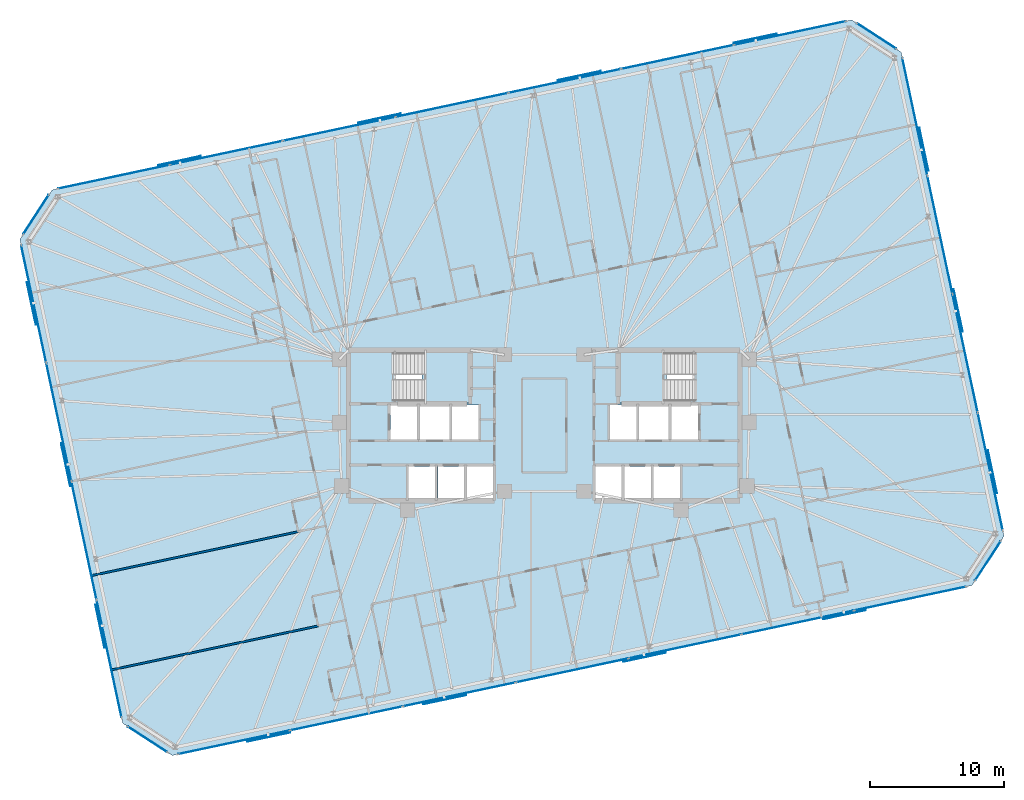
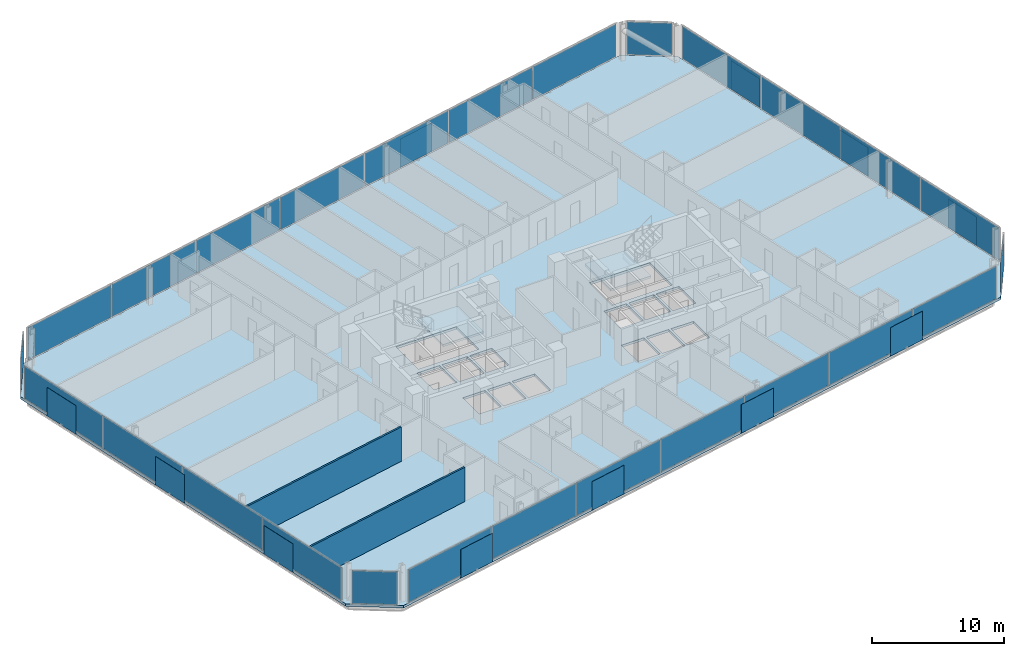
# One storey, part 13 of 21: 40 plates, 3 slabs, 2 walls, 10 elements without a shape of their own.
"""IFC4 building model written with IfcOpenShell, lengths in metres."""

import ifcopenshell
import ifcopenshell.guid

model = None  # the IFC model being written
_history = None  # IfcOwnerHistory: only IFC2X3 demands one
_inside = {}  # id of a spatial element -> (the spatial element, [elements in it])
_under = {}  # id of a project, library or spatial element -> (it, [spatial elements below it])
_declared = {}  # id of a project -> (the project, [libraries it declares])
_typed = {}  # id of a type object -> (the type object, [elements of that type])
_made_of = {}  # id of a material, layer set ... -> (it, [elements and type objects made of it])


def new_model(schema):
    """Start an empty IFC model of exactly this schema.

    Asked for "IFC4X3", IfcOpenShell would pick the latest addendum, in which some entities
    have other attributes; the version numbers below select the first issue.
    IFC2X3 requires an IfcOwnerHistory on every rooted entity: one is made here for all.
    """
    global model, _history
    if schema == "IFC4X3":
        model = ifcopenshell.file(schema_version=(4, 3, 0, 0))
    else:
        model = ifcopenshell.file(schema=schema)
    _inside.clear()
    _under.clear()
    _declared.clear()
    _typed.clear()
    _made_of.clear()
    _history = None
    if model.schema == "IFC2X3":
        org = make("IfcOrganization", Name="unknown")
        user = make(
            "IfcPersonAndOrganization",
            ThePerson=make("IfcPerson", FamilyName="unknown"),
            TheOrganization=org,
        )
        app = make(
            "IfcApplication",
            ApplicationDeveloper=org,
            Version="unknown",
            ApplicationFullName="unknown",
            ApplicationIdentifier="unknown",
        )
        _history = make(
            "IfcOwnerHistory",
            OwningUser=user,
            OwningApplication=app,
            ChangeAction="ADDED",
            CreationDate=0,
        )
    return model


def make(cls, **values):
    """One entity of the class cls with the attributes given. An attribute that is None is left unset."""
    return model.create_entity(
        cls, **{name: value for name, value in values.items() if value is not None}
    )


def rooted(cls, **values):
    """An entity with a GlobalId (a new one), such as an element, a storey or a relation."""
    return make(cls, GlobalId=ifcopenshell.guid.new(), OwnerHistory=_history, **values)


def si_unit(unit_type, name, prefix=None):
    """IfcSIUnit, for example si_unit("LENGTHUNIT", "METRE", prefix="MILLI")."""
    return make("IfcSIUnit", UnitType=unit_type, Prefix=prefix, Name=name)


def assignment(units):
    """IfcUnitAssignment: the units of a project."""
    return None if units is None else make("IfcUnitAssignment", Units=units)


def point(xyz):
    """IfcCartesianPoint."""
    return None if xyz is None else make("IfcCartesianPoint", Coordinates=xyz)


def direction(xyz):
    """IfcDirection."""
    return None if xyz is None else make("IfcDirection", DirectionRatios=xyz)


def frame(location, z_axis=None, x_axis=None):
    """IfcAxis2Placement3D, a coordinate frame: its origin and axes. An axis left out is left unset."""
    return make(
        "IfcAxis2Placement3D",
        Location=point(location),
        Axis=direction(z_axis),
        RefDirection=direction(x_axis),
    )


def frame_2d(location, x_axis=None):
    """IfcAxis2Placement2D, a coordinate frame in the plane: its origin and x axis."""
    return make(
        "IfcAxis2Placement2D", Location=point(location), RefDirection=direction(x_axis)
    )


def origin():
    """The frame at (0, 0, 0) with its axes left unset."""
    return frame((0.0, 0.0, 0.0))


def origin_2d():
    """The frame at (0, 0) in the plane with its x axis left unset."""
    return frame_2d((0.0, 0.0))


def place(relative_to, where):
    """IfcLocalPlacement: puts the frame where relative to a parent placement (None: the world)."""
    return make(
        "IfcLocalPlacement", PlacementRelTo=relative_to, RelativePlacement=where
    )


def context(
    kind, dimensions, precision=None, world=None, true_north=None, identifier=None
):
    """IfcGeometricRepresentationContext, for example the 3D "Model" context."""
    return make(
        "IfcGeometricRepresentationContext",
        ContextIdentifier=identifier,
        ContextType=kind,
        CoordinateSpaceDimension=dimensions,
        Precision=precision,
        WorldCoordinateSystem=world,
        TrueNorth=true_north,
    )


def subcontext(parent, identifier, kind, view, scale=None):
    """IfcGeometricRepresentationSubContext, for example "Body" below "Model"."""
    return make(
        "IfcGeometricRepresentationSubContext",
        ContextIdentifier=identifier,
        ContextType=kind,
        ParentContext=parent,
        TargetScale=scale,
        TargetView=view,
    )


def project(units=None, contexts=None):
    """IfcProject with its units and contexts."""
    return rooted(
        "IfcProject",
        Name="project",
        RepresentationContexts=contexts,
        UnitsInContext=assignment(units),
    )


def spatial(cls, under=None, at=None, **own):
    """A site, building, storey or space (cls), placed at a placement, below another one or the project."""
    s = rooted(cls, ObjectPlacement=at, **own)
    if under is not None:
        _under.setdefault(under.id(), (under, []))[1].append(s)
    return s


def polyline(points):
    """IfcPolyline through the points."""
    return make("IfcPolyline", Points=[point(p) for p in points])


def profile(cls, at=None, kind="AREA", **sizes):
    """A parametric profile (cls). Its sizes go by their IFC names, for example OverallWidth=200.0."""
    return make(cls, ProfileType=kind, Position=at, **sizes)


def rectangle(**sizes):
    """IfcRectangleProfileDef."""
    return profile("IfcRectangleProfileDef", **sizes)


def outline(outer, holes=None, kind="AREA"):
    """IfcArbitraryClosedProfileDef: a profile drawn as a closed curve; with holes, ...WithVoids."""
    if holes is None:
        return make("IfcArbitraryClosedProfileDef", ProfileType=kind, OuterCurve=outer)
    return make(
        "IfcArbitraryProfileDefWithVoids",
        ProfileType=kind,
        OuterCurve=outer,
        InnerCurves=holes,
    )


def extrude(swept, where, along, depth):
    """IfcExtrudedAreaSolid: the profile swept, set in the frame where, extruded along a direction by depth."""
    return make(
        "IfcExtrudedAreaSolid",
        SweptArea=swept,
        Position=where,
        ExtrudedDirection=direction(along),
        Depth=depth,
    )


def shape(context_of_items, identifier, shape_type, items):
    """IfcShapeRepresentation: the items that make up one representation, for example the "Body"."""
    return make(
        "IfcShapeRepresentation",
        ContextOfItems=context_of_items,
        RepresentationIdentifier=identifier,
        RepresentationType=shape_type,
        Items=items,
    )


def material(Name=None, Category=None):
    """IfcMaterial."""
    return make("IfcMaterial", Name=Name, Category=Category)


def layer(
    of_material, thickness, ventilated=None, Name=None, Category=None, Priority=None
):
    """IfcMaterialLayer: one layer of a wall or slab, of a material (None: an air gap)."""
    return make(
        "IfcMaterialLayer",
        Material=of_material,
        LayerThickness=thickness,
        IsVentilated=ventilated,
        Name=Name,
        Category=Category,
        Priority=Priority,
    )


def layer_set(layers, Name=None):
    """IfcMaterialLayerSet."""
    return make("IfcMaterialLayerSet", MaterialLayers=layers, LayerSetName=Name)


def made_of(thing, what):
    """Note that an element or type object is made of a material, layer set ...; save() writes the relation."""
    if what is not None:
        _made_of.setdefault(what.id(), (what, []))[1].append(thing)
    return thing


def type_object(cls, material=None, **own):
    """A type object (cls), such as IfcWallType, which elements share."""
    return made_of(rooted(cls, **own), material)


def element(
    cls,
    number,
    at=None,
    inside=None,
    cuts=None,
    type_object=None,
    material=None,
    context=None,
    identifier="Body",
    shape_type=None,
    held_by="IfcProductDefinitionShape",
    body=None,
    shapes=None,
    **own,
):
    """One element of the class cls, such as IfcWall. Its Tag is "e" and its number.

    at: its placement. inside: the storey or other place that contains it. cuts: it is an
    opening in that element (IfcRelVoidsElement). A single representation is given by context,
    identifier, shape_type and body (its items); several are given by shapes. held_by: the class
    of the entity that holds the representations. save() writes the other relations.
    """
    e = rooted(cls, Tag="e%d" % number, ObjectPlacement=at, **own)
    if body is not None:
        shapes = [shape(context, identifier, shape_type, body)]
    if shapes is not None:
        e.Representation = make(held_by, Representations=shapes)
    if inside is not None:
        _inside.setdefault(inside.id(), (inside, []))[1].append(e)
    if cuts is not None:
        rooted(
            "IfcRelVoidsElement", RelatingBuildingElement=cuts, RelatedOpeningElement=e
        )
    if type_object is not None:
        _typed.setdefault(type_object.id(), (type_object, []))[1].append(e)
    return made_of(e, material)


def aggregate(whole, parts):
    """IfcRelAggregates: a whole, such as a stair, and the parts it consists of."""
    return rooted("IfcRelAggregates", RelatingObject=whole, RelatedObjects=parts)


def save(model, path):
    """Write the relations noted so far, then the file.

    IfcRelAggregates (storeys below a building ...), IfcRelContainedInSpatialStructure (elements
    in a storey), IfcRelDefinesByType, IfcRelAssociatesMaterial and IfcRelDeclares: one each for
    every whole, place, type object, material and project.
    """
    for whole, parts in _under.values():
        aggregate(whole, parts)
    for where, things in _inside.values():
        rooted(
            "IfcRelContainedInSpatialStructure",
            RelatedElements=things,
            RelatingStructure=where,
        )
    for kind, things in _typed.values():
        rooted("IfcRelDefinesByType", RelatedObjects=things, RelatingType=kind)
    for what, things in _made_of.values():
        rooted("IfcRelAssociatesMaterial", RelatedObjects=things, RelatingMaterial=what)
    for by, libraries in _declared.values():
        rooted("IfcRelDeclares", RelatingContext=by, RelatedDefinitions=libraries)
    model.write(path)


model = new_model("IFC4")

# Units and contexts
model_context = context("Model", 3, precision=1e-05, world=origin(), true_north=direction((0.0, 1.0)))
body_context = subcontext(model_context, "Body", "Model", "MODEL_VIEW")
ifc_project = project(units=[si_unit("LENGTHUNIT", "METRE"), si_unit("AREAUNIT", "SQUARE_METRE"), si_unit("VOLUMEUNIT", "CUBIC_METRE"), si_unit("PLANEANGLEUNIT", "RADIAN"), si_unit("MASSUNIT", "GRAM", prefix="KILO")], contexts=[model_context])

# Site, building, storey
site_placement = place(None, origin())
site = spatial("IfcSite", under=ifc_project, at=site_placement, CompositionType="ELEMENT")
building_placement = place(site_placement, origin())
building = spatial("IfcBuilding", under=site, at=building_placement, Name="Menara Jurai Vektor", CompositionType="ELEMENT")
storey_placement = place(building_placement, frame((0.0, 0.0, 165.0)))
storey = spatial("IfcBuildingStorey", under=building, at=storey_placement, Name="L42", CompositionType="ELEMENT", Elevation=165.0)

# Curtain wall, plates
ifc_material_1 = material(Name="Anodised Pale Aluminium & Low-E Double Glazing", Category="aluminium")
curtain_wall_type = type_object("IfcCurtainWallType", Name="CW-BLK3", PredefinedType="NOTDEFINED", material=ifc_material_1)
curtain_wall_1_placement = place(storey_placement, origin())
curtain_wall_1 = element("IfcCurtainWall", 1, at=curtain_wall_1_placement, inside=storey, type_object=curtain_wall_type, Name="Unitised Curtain Wall L42 F01", PredefinedType="NOTDEFINED")
ifc_material_2 = material(Name="Low-E Solar-Control Double Glazed Unit", Category="glass")
ifc_layer_1 = layer(ifc_material_2, 0.031982421875)
ifc_layer_set_1 = layer_set([ifc_layer_1], Name="Low-E Solar-Control Double Glazed Unit")
plate_type_1 = type_object("IfcPlateType", Name="CW-BLK3-PNL", PredefinedType="CURTAIN_PANEL", material=ifc_layer_set_1)
plate_1_placement = place(storey_placement, frame((-23.078369140625, -23.57568359375, 0.0849609375), z_axis=(0.0, 0.0, 1.0), x_axis=(0.978147674419, 0.207911344156, 0.0)))
plate_1 = element("IfcPlate", 2, at=plate_1_placement, type_object=plate_type_1, Name="CW-03 panel 1.1", PredefinedType="CURTAIN_PANEL", context=body_context, shape_type="SweptSolid", body=[
    extrude(rectangle(XDim=8.44970703125, YDim=0.031982421875, at=origin_2d()), origin(), (0.0, 0.0, 1.0), 3.0048828125),
])
plate_2_placement = place(storey_placement, frame((-14.709228515625, -21.796875, 0.0849609375), z_axis=(0.0, 0.0, 1.0), x_axis=(0.978147674419, 0.207911344156, 0.0)))
plate_2 = element("IfcPlate", 3, at=plate_2_placement, type_object=plate_type_1, Name="CW-03 panel 2.1", PredefinedType="CURTAIN_PANEL", context=body_context, shape_type="SweptSolid", body=[
    extrude(rectangle(XDim=8.4921875, YDim=0.031982421875, at=origin_2d()), origin(), (0.0, 0.0, 1.0), 3.0048828125),
])
plate_3_placement = place(storey_placement, frame((-6.319580078125, -20.013427734375, 0.0849609375), z_axis=(0.0, 0.0, 1.0), x_axis=(0.978147674419, 0.207911344156, 0.0)))
plate_3 = element("IfcPlate", 4, at=plate_3_placement, type_object=plate_type_1, Name="CW-03 panel 3.1", PredefinedType="CURTAIN_PANEL", context=body_context, shape_type="SweptSolid", body=[
    extrude(rectangle(XDim=8.4921875, YDim=0.031982421875, at=origin_2d()), origin(), (0.0, 0.0, 1.0), 3.0048828125),
])
plate_4_placement = place(storey_placement, frame((2.070068359375, -18.230224609375, 0.0849609375), z_axis=(0.0, 0.0, 1.0), x_axis=(0.978147674419, 0.207911344156, 0.0)))
plate_4 = element("IfcPlate", 5, at=plate_4_placement, type_object=plate_type_1, Name="CW-03 panel 4.1", PredefinedType="CURTAIN_PANEL", context=body_context, shape_type="SweptSolid", body=[
    extrude(rectangle(XDim=8.4921875, YDim=0.031982421875, at=origin_2d()), origin(), (0.0, 0.0, 1.0), 3.0048828125),
])
plate_5_placement = place(storey_placement, frame((10.459716796875, -16.447021484375, 0.0849609375), z_axis=(0.0, 0.0, 1.0), x_axis=(0.978147674419, 0.207911344156, 0.0)))
plate_5 = element("IfcPlate", 6, at=plate_5_placement, type_object=plate_type_1, Name="CW-03 panel 5.1", PredefinedType="CURTAIN_PANEL", context=body_context, shape_type="SweptSolid", body=[
    extrude(rectangle(XDim=8.4921875, YDim=0.031982421875, at=origin_2d()), origin(), (0.0, 0.0, 1.0), 3.0048828125),
])
plate_6_placement = place(storey_placement, frame((18.849609375, -14.66357421875, 0.0849609375), z_axis=(0.0, 0.0, 1.0), x_axis=(0.978147674419, 0.207911344156, 0.0)))
plate_6 = element("IfcPlate", 7, at=plate_6_placement, type_object=plate_type_1, Name="CW-03 panel 6.1", PredefinedType="CURTAIN_PANEL", context=body_context, shape_type="SweptSolid", body=[
    extrude(rectangle(XDim=8.4921875, YDim=0.031982421875, at=origin_2d()), origin(), (0.0, 0.0, 1.0), 3.0048828125),
])
plate_7_placement = place(storey_placement, frame((27.218505859375, -12.884765625, 0.0849609375), z_axis=(0.0, 0.0, 1.0), x_axis=(0.978147674419, 0.207911344156, 0.0)))
plate_7 = element("IfcPlate", 8, at=plate_7_placement, type_object=plate_type_1, Name="CW-03 panel 7.1", PredefinedType="CURTAIN_PANEL", context=body_context, shape_type="SweptSolid", body=[
    extrude(rectangle(XDim=8.44970703125, YDim=0.031982421875, at=origin_2d()), origin(), (0.0, 0.0, 1.0), 3.0048828125),
])
aggregate(curtain_wall_1, [plate_1, plate_2, plate_3, plate_4, plate_5, plate_6, plate_7])

curtain_wall_2_placement = place(storey_placement, origin())
curtain_wall_2 = element("IfcCurtainWall", 9, at=curtain_wall_2_placement, inside=storey, type_object=curtain_wall_type, Name="Unitised Curtain Wall L42 F03", PredefinedType="NOTDEFINED")
plate_8_placement = place(storey_placement, frame((33.17333984375, -3.433837890625, 0.0849609375), z_axis=(0.0, 0.0, 1.0), x_axis=(-0.20791035839, 0.978147883949, 0.0)))
plate_8 = element("IfcPlate", 10, at=plate_8_placement, type_object=plate_type_1, Name="CW-03 panel 1.1", PredefinedType="CURTAIN_PANEL", context=body_context, shape_type="SweptSolid", body=[
    extrude(rectangle(XDim=8.882568359375, YDim=0.031982421875, at=origin_2d()), origin(), (0.0, 0.0, 1.0), 3.0048828125),
])
plate_9_placement = place(storey_placement, frame((31.3046875, 5.3583984375, 0.0849609375), z_axis=(0.0, 0.0, 1.0), x_axis=(-0.20791035839, 0.978147883949, 0.0)))
plate_9 = element("IfcPlate", 11, at=plate_9_placement, type_object=plate_type_1, Name="CW-03 panel 2.1", PredefinedType="CURTAIN_PANEL", context=body_context, shape_type="SweptSolid", body=[
    extrude(rectangle(XDim=8.925048828125, YDim=0.031982421875, at=origin_2d()), origin(), (0.0, 0.0, 1.0), 3.0048828125),
])
plate_10_placement = place(storey_placement, frame((29.431396484375, 14.171630859375, 0.0849609375), z_axis=(0.0, 0.0, 1.0), x_axis=(-0.20791035839, 0.978147883949, 0.0)))
plate_10 = element("IfcPlate", 12, at=plate_10_placement, type_object=plate_type_1, Name="CW-03 panel 3.1", PredefinedType="CURTAIN_PANEL", context=body_context, shape_type="SweptSolid", body=[
    extrude(rectangle(XDim=8.925048828125, YDim=0.031982421875, at=origin_2d()), origin(), (0.0, 0.0, 1.0), 3.0048828125),
])
plate_11_placement = place(storey_placement, frame((27.5625, 22.9638671875, 0.0849609375), z_axis=(0.0, 0.0, 1.0), x_axis=(-0.20791035839, 0.978147883949, 0.0)))
plate_11 = element("IfcPlate", 13, at=plate_11_placement, type_object=plate_type_1, Name="CW-03 panel 4.1", PredefinedType="CURTAIN_PANEL", context=body_context, shape_type="SweptSolid", body=[
    extrude(rectangle(XDim=8.882568359375, YDim=0.031982421875, at=origin_2d()), origin(), (0.0, 0.0, 1.0), 3.0048828125),
])
aggregate(curtain_wall_2, [plate_8, plate_9, plate_10, plate_11])

curtain_wall_3_placement = place(storey_placement, origin())
curtain_wall_3 = element("IfcCurtainWall", 14, at=curtain_wall_3_placement, inside=storey, type_object=curtain_wall_type, Name="Unitised Curtain Wall L42 F05", PredefinedType="NOTDEFINED")
plate_12_placement = place(storey_placement, frame((18.2783203125, 29.175537109375, 0.0849609375), z_axis=(0.0, 0.0, 1.0), x_axis=(-0.978147674419, -0.207911344156, 0.0)))
plate_12 = element("IfcPlate", 15, at=plate_12_placement, type_object=plate_type_1, Name="CW-03 panel 1.1", PredefinedType="CURTAIN_PANEL", context=body_context, shape_type="SweptSolid", body=[
    extrude(rectangle(XDim=8.44970703125, YDim=0.031982421875, at=origin_2d()), origin(), (0.0, 0.0, 1.0), 3.0048828125),
])
plate_13_placement = place(storey_placement, frame((9.909423828125, 27.396728515625, 0.0849609375), z_axis=(0.0, 0.0, 1.0), x_axis=(-0.978147674419, -0.207911344156, 0.0)))
plate_13 = element("IfcPlate", 16, at=plate_13_placement, type_object=plate_type_1, Name="CW-03 panel 2.1", PredefinedType="CURTAIN_PANEL", context=body_context, shape_type="SweptSolid", body=[
    extrude(rectangle(XDim=8.4921875, YDim=0.031982421875, at=origin_2d()), origin(), (0.0, 0.0, 1.0), 3.0048828125),
])
plate_14_placement = place(storey_placement, frame((1.51953125, 25.613525390625, 0.0849609375), z_axis=(0.0, 0.0, 1.0), x_axis=(-0.978147674419, -0.207911344156, 0.0)))
plate_14 = element("IfcPlate", 17, at=plate_14_placement, type_object=plate_type_1, Name="CW-03 panel 3.1", PredefinedType="CURTAIN_PANEL", context=body_context, shape_type="SweptSolid", body=[
    extrude(rectangle(XDim=8.4921875, YDim=0.031982421875, at=origin_2d()), origin(), (0.0, 0.0, 1.0), 3.0048828125),
])
plate_15_placement = place(storey_placement, frame((-6.8701171875, 23.830078125, 0.0849609375), z_axis=(0.0, 0.0, 1.0), x_axis=(-0.978147674419, -0.207911344156, 0.0)))
plate_15 = element("IfcPlate", 18, at=plate_15_placement, type_object=plate_type_1, Name="CW-03 panel 4.1", PredefinedType="CURTAIN_PANEL", context=body_context, shape_type="SweptSolid", body=[
    extrude(rectangle(XDim=8.4921875, YDim=0.031982421875, at=origin_2d()), origin(), (0.0, 0.0, 1.0), 3.0048828125),
])
plate_16_placement = place(storey_placement, frame((-15.259765625, 22.046875, 0.0849609375), z_axis=(0.0, 0.0, 1.0), x_axis=(-0.978147674419, -0.207911344156, 0.0)))
plate_16 = element("IfcPlate", 19, at=plate_16_placement, type_object=plate_type_1, Name="CW-03 panel 5.1", PredefinedType="CURTAIN_PANEL", context=body_context, shape_type="SweptSolid", body=[
    extrude(rectangle(XDim=8.4921875, YDim=0.031982421875, at=origin_2d()), origin(), (0.0, 0.0, 1.0), 3.0048828125),
])
plate_17_placement = place(storey_placement, frame((-23.6494140625, 20.263671875, 0.0849609375), z_axis=(0.0, 0.0, 1.0), x_axis=(-0.978147674419, -0.207911344156, 0.0)))
plate_17 = element("IfcPlate", 20, at=plate_17_placement, type_object=plate_type_1, Name="CW-03 panel 6.1", PredefinedType="CURTAIN_PANEL", context=body_context, shape_type="SweptSolid", body=[
    extrude(rectangle(XDim=8.4921875, YDim=0.031982421875, at=origin_2d()), origin(), (0.0, 0.0, 1.0), 3.0048828125),
])
plate_18_placement = place(storey_placement, frame((-32.0185546875, 18.48486328125, 0.0849609375), z_axis=(0.0, 0.0, 1.0), x_axis=(-0.978147674419, -0.207911344156, 0.0)))
plate_18 = element("IfcPlate", 21, at=plate_18_placement, type_object=plate_type_1, Name="CW-03 panel 7.1", PredefinedType="CURTAIN_PANEL", context=body_context, shape_type="SweptSolid", body=[
    extrude(rectangle(XDim=8.44970703125, YDim=0.031982421875, at=origin_2d()), origin(), (0.0, 0.0, 1.0), 3.0048828125),
])
aggregate(curtain_wall_3, [plate_12, plate_13, plate_14, plate_15, plate_16, plate_17, plate_18])

curtain_wall_4_placement = place(storey_placement, origin())
curtain_wall_4 = element("IfcCurtainWall", 22, at=curtain_wall_4_placement, inside=storey, type_object=curtain_wall_type, Name="Unitised Curtain Wall L42 F07", PredefinedType="NOTDEFINED")
plate_19_placement = place(storey_placement, frame((-37.973388671875, 9.033935546875, 0.0849609375), z_axis=(0.0, 0.0, 1.0), x_axis=(0.20791035839, -0.978147883949, 0.0)))
plate_19 = element("IfcPlate", 23, at=plate_19_placement, type_object=plate_type_1, Name="CW-03 panel 1.1", PredefinedType="CURTAIN_PANEL", context=body_context, shape_type="SweptSolid", body=[
    extrude(rectangle(XDim=8.882568359375, YDim=0.031982421875, at=origin_2d()), origin(), (0.0, 0.0, 1.0), 3.0048828125),
])
plate_20_placement = place(storey_placement, frame((-36.1044921875, 0.241455078125, 0.0849609375), z_axis=(0.0, 0.0, 1.0), x_axis=(0.20791035839, -0.978147883949, 0.0)))
plate_20 = element("IfcPlate", 24, at=plate_20_placement, type_object=plate_type_1, Name="CW-03 panel 2.1", PredefinedType="CURTAIN_PANEL", context=body_context, shape_type="SweptSolid", body=[
    extrude(rectangle(XDim=8.925048828125, YDim=0.031982421875, at=origin_2d()), origin(), (0.0, 0.0, 1.0), 3.0048828125),
])
plate_21_placement = place(storey_placement, frame((-34.231201171875, -8.571533203125, 0.0849609375), z_axis=(0.0, 0.0, 1.0), x_axis=(0.20791035839, -0.978147883949, 0.0)))
plate_21 = element("IfcPlate", 25, at=plate_21_placement, type_object=plate_type_1, Name="CW-03 panel 3.1", PredefinedType="CURTAIN_PANEL", context=body_context, shape_type="SweptSolid", body=[
    extrude(rectangle(XDim=8.925048828125, YDim=0.031982421875, at=origin_2d()), origin(), (0.0, 0.0, 1.0), 3.0048828125),
])
plate_22_placement = place(storey_placement, frame((-32.362548828125, -17.364013671875, 0.0849609375), z_axis=(0.0, 0.0, 1.0), x_axis=(0.20791035839, -0.978147883949, 0.0)))
plate_22 = element("IfcPlate", 26, at=plate_22_placement, type_object=plate_type_1, Name="CW-03 panel 4.1", PredefinedType="CURTAIN_PANEL", context=body_context, shape_type="SweptSolid", body=[
    extrude(rectangle(XDim=8.882568359375, YDim=0.031982421875, at=origin_2d()), origin(), (0.0, 0.0, 1.0), 3.0048828125),
])
aggregate(curtain_wall_4, [plate_19, plate_20, plate_21, plate_22])

# Curtain wall, plate
curtain_wall_5_placement = place(storey_placement, origin())
curtain_wall_5 = element("IfcCurtainWall", 27, at=curtain_wall_5_placement, inside=storey, type_object=curtain_wall_type, Name="Unitised Curtain Wall L42 F02", PredefinedType="NOTDEFINED")
ifc_material_3 = material(Name="Insulated Pale Aluminium Spandrel Panel", Category="aluminium")
ifc_layer_2 = layer(ifc_material_3, 0.06005859375)
ifc_layer_set_2 = layer_set([ifc_layer_2], Name="Insulated Pale Aluminium Spandrel Panel")
plate_type_2 = type_object("IfcPlateType", Name="CW-PNL-SP", PredefinedType="CURTAIN_PANEL", material=ifc_layer_set_2)
plate_23_placement = place(storey_placement, frame((32.999755859375, -10.0712890625, 0.0849609375), z_axis=(0.0, 0.0, 1.0), x_axis=(0.544617794346, 0.838684361415, 0.0)))
plate_23 = element("IfcPlate", 28, at=plate_23_placement, type_object=plate_type_2, Name="CW-03 panel 1.1", PredefinedType="CURTAIN_PANEL", context=body_context, shape_type="SweptSolid", body=[
    extrude(rectangle(XDim=3.4541015625, YDim=0.06005859375, at=origin_2d()), origin(), (0.0, 0.0, 1.0), 3.0048828125),
])
aggregate(curtain_wall_5, [plate_23])

curtain_wall_6_placement = place(storey_placement, origin())
curtain_wall_6 = element("IfcCurtainWall", 29, at=curtain_wall_6_placement, inside=storey, type_object=curtain_wall_type, Name="Unitised Curtain Wall L42 F04", PredefinedType="NOTDEFINED")
plate_24_placement = place(storey_placement, frame((24.7041015625, 28.956787109375, 0.0849609375), z_axis=(0.0, 0.0, 1.0), x_axis=(-0.838684361415, 0.544617794346, 0.0)))
plate_24 = element("IfcPlate", 30, at=plate_24_placement, type_object=plate_type_2, Name="CW-03 panel 1.1", PredefinedType="CURTAIN_PANEL", context=body_context, shape_type="SweptSolid", body=[
    extrude(rectangle(XDim=3.4541015625, YDim=0.06005859375, at=origin_2d()), origin(), (0.0, 0.0, 1.0), 3.0048828125),
])
aggregate(curtain_wall_6, [plate_24])

curtain_wall_7_placement = place(storey_placement, origin())
curtain_wall_7 = element("IfcCurtainWall", 31, at=curtain_wall_7_placement, inside=storey, type_object=curtain_wall_type, Name="Unitised Curtain Wall L42 F06", PredefinedType="NOTDEFINED")
plate_25_placement = place(storey_placement, frame((-37.799560546875, 15.67138671875, 0.0849609375), z_axis=(0.0, 0.0, 1.0), x_axis=(-0.544617794346, -0.838684361415, 0.0)))
plate_25 = element("IfcPlate", 32, at=plate_25_placement, type_object=plate_type_2, Name="CW-03 panel 1.1", PredefinedType="CURTAIN_PANEL", context=body_context, shape_type="SweptSolid", body=[
    extrude(rectangle(XDim=3.4541015625, YDim=0.06005859375, at=origin_2d()), origin(), (0.0, 0.0, 1.0), 3.0048828125),
])
aggregate(curtain_wall_7, [plate_25])

curtain_wall_8_placement = place(storey_placement, origin())
curtain_wall_8 = element("IfcCurtainWall", 33, at=curtain_wall_8_placement, inside=storey, type_object=curtain_wall_type, Name="Unitised Curtain Wall L42 F08", PredefinedType="NOTDEFINED")
plate_26_placement = place(storey_placement, frame((-29.50390625, -23.35693359375, 0.0849609375), z_axis=(0.0, 0.0, 1.0), x_axis=(0.838684361415, -0.544617794346, 0.0)))
plate_26 = element("IfcPlate", 34, at=plate_26_placement, type_object=plate_type_2, Name="CW-03 panel 1.1", PredefinedType="CURTAIN_PANEL", context=body_context, shape_type="SweptSolid", body=[
    extrude(rectangle(XDim=3.4541015625, YDim=0.06005859375, at=origin_2d()), origin(), (0.0, 0.0, 1.0), 3.0048828125),
])
aggregate(curtain_wall_8, [plate_26])

# Plates
ifc_material_4 = material(Name="Anodised Pale Aluminium Perforated Screen", Category="aluminium")
ifc_layer_3 = layer(ifc_material_4, 0.02294921875)
ifc_layer_set_3 = layer_set([ifc_layer_3], Name="Anodised Pale Aluminium Perforated Screen")
plate_type_3 = type_object("IfcPlateType", Name="ENV-PLT-SCREEN-MID", PredefinedType="USERDEFINED", material=ifc_layer_set_3)
for number, where, z_axis, x_axis, name in (
    (35, (-20.495849609375, -23.190185546875, -0.050048828125), (0.0, 0.0, 1.0), (0.978147600734, 0.207911690818, 0.0), "Perforated Pale-Metal Solar Screen L42-S01"),
    (36, (-7.412109375, -20.4091796875, -0.050048828125), (0.0, 0.0, 1.0), (0.978147600734, 0.207911690818, 0.0), "Perforated Pale-Metal Solar Screen L42-S02"),
    (37, (7.455810546875, -17.2490234375, -0.050048828125), (0.0, 0.0, 1.0), (0.978147600734, 0.207911690818, 0.0), "Perforated Pale-Metal Solar Screen L42-S03"),
    (38, (22.323486328125, -14.0888671875, -0.050048828125), (0.0, 0.0, 1.0), (0.978147600734, 0.207911690818, 0.0), "Perforated Pale-Metal Solar Screen L42-S04"),
    (39, (33.342529296875, -3.460205078125, -0.050048828125), (0.0, 0.0, 1.0), (-0.207911690818, 0.978147600734, 0.0), "Perforated Pale-Metal Solar Screen L42-S05"),
    (40, (30.792236328125, 8.53857421875, -0.050048828125), (0.0, 0.0, 1.0), (-0.207911690818, 0.978147600734, 0.0), "Perforated Pale-Metal Solar Screen L42-S06"),
    (41, (28.241943359375, 20.537109375, -0.050048828125), (0.0, 0.0, 1.0), (-0.207911690818, 0.978147600734, 0.0), "Perforated Pale-Metal Solar Screen L42-S07"),
    (42, (15.69580078125, 28.790283203125, -0.050048828125), (0.0, 0.0, 1.0), (-0.978147600734, -0.207911690818, 0.0), "Perforated Pale-Metal Solar Screen L42-S08"),
    (43, (2.612060546875, 26.00927734375, -0.050048828125), (0.0, 0.0, 1.0), (-0.978147600734, -0.207911690818, 0.0), "Perforated Pale-Metal Solar Screen L42-S09"),
    (44, (-12.255859375, 22.84912109375, -0.050048828125), (0.0, 0.0, 1.0), (-0.978147600734, -0.207911690818, 0.0), "Perforated Pale-Metal Solar Screen L42-S10"),
    (45, (-27.12353515625, 19.688720703125, -0.050048828125), (0.0, 0.0, 1.0), (-0.978147600734, -0.207911690818, 0.0), "Perforated Pale-Metal Solar Screen L42-S11"),
    (46, (-38.142578125, 9.060302734375, -0.050048828125), (0.0, 0.0, 1.0), (0.207911690818, -0.978147600734, 0.0), "Perforated Pale-Metal Solar Screen L42-S12"),
    (47, (-35.59228515625, -2.9384765625, -0.050048828125), (0.0, 0.0, 1.0), (0.207911690818, -0.978147600734, 0.0), "Perforated Pale-Metal Solar Screen L42-S13"),
    (48, (-33.0419921875, -14.93701171875, -0.050048828125), (0.0, 0.0, 1.0), (0.207911690818, -0.978147600734, 0.0), "Perforated Pale-Metal Solar Screen L42-S14"),
):
    element("IfcPlate", number, at=place(storey_placement, frame(where, z_axis=z_axis, x_axis=x_axis)), inside=storey, type_object=plate_type_3, Name=name, ObjectType="SCREEN", PredefinedType="USERDEFINED", context=body_context, shape_type="SweptSolid", body=[
        extrude(rectangle(XDim=3.25, YDim=0.02294921875, at=origin_2d()), origin(), (0.0, 0.0, 1.0), 2.64990234375),
    ])

# Stair, slab
ifc_material_5 = material(Name="Concrete C40/50", Category="concrete")
stair_type = type_object("IfcStairType", Name="STAIR-DOGLEG-1500", PredefinedType="HALF_TURN_STAIR", material=ifc_material_5)
stair_1_placement = place(storey_placement, origin())
stair_1 = element("IfcStair", 49, at=stair_1_placement, inside=storey, type_object=stair_type, Name="Protected Exit Stair ST1 L42", PredefinedType="HALF_TURN_STAIR")
ifc_layer_4 = layer(ifc_material_5, 0.199951171875)
ifc_layer_set_4 = layer_set([ifc_layer_4], Name="Concrete C40/50")
slab_type_1 = type_object("IfcSlabType", Name="STAIR-LANDING-200", PredefinedType="LANDING", material=ifc_layer_set_4)
slab_1_placement = place(storey_placement, frame((0.0, 0.0, 1.5)))
slab_1 = element("IfcSlab", 50, at=slab_1_placement, type_object=slab_type_1, Name="ST1 landing 1", PredefinedType="LANDING", context=body_context, shape_type="SweptSolid", body=[
    extrude(outline(polyline([(-9.080078125, 1.64990234375), (-5.550048828125, 1.64990234375), (-5.550048828125, 5.550048828125), (-9.080078125, 5.550048828125), (-9.080078125, 1.64990234375)])), origin(), (0.0, 0.0, 1.0), 0.199951171875),
])
aggregate(stair_1, [slab_1])

stair_2_placement = place(storey_placement, origin())
stair_2 = element("IfcStair", 51, at=stair_2_placement, inside=storey, type_object=stair_type, Name="Protected Exit Stair ST2 L42", PredefinedType="HALF_TURN_STAIR")
slab_2_placement = place(storey_placement, frame((0.0, 0.0, 1.5)))
slab_2 = element("IfcSlab", 52, at=slab_2_placement, type_object=slab_type_1, Name="ST2 landing 1", PredefinedType="LANDING", context=body_context, shape_type="SweptSolid", body=[
    extrude(outline(polyline([(5.550048828125, 1.64990234375), (9.080078125, 1.64990234375), (9.080078125, 5.550048828125), (5.550048828125, 5.550048828125), (5.550048828125, 1.64990234375)])), origin(), (0.0, 0.0, 1.0), 0.199951171875),
])
aggregate(stair_2, [slab_2])

# Slab
ifc_layer_5 = layer(ifc_material_5, 0.22509765625)
ifc_layer_set_5 = layer_set([ifc_layer_5], Name="Concrete C40/50")
slab_type_2 = type_object("IfcSlabType", Name="STR-SLAB-TYP200", PredefinedType="FLOOR", material=ifc_layer_set_5)
slab_3_placement = place(storey_placement, frame((0.0, 0.0, -0.22509765625)))
element("IfcSlab", 53, at=slab_3_placement, inside=storey, type_object=slab_type_2, Name="Composite Floor Slab L42", PredefinedType="FLOOR", context=body_context, shape_type="SweptSolid", body=[
    extrude(outline(polyline([(-27.66552734375, -24.55078125), (31.805908203125, -11.90966796875), (34.193603515625, -8.23291015625), (26.54248046875, 27.762939453125), (22.865478515625, 30.150634765625), (-36.605712890625, 17.509765625), (-38.993408203125, 13.8330078125), (-31.34228515625, -22.1630859375), (-27.66552734375, -24.55078125)]), holes=[polyline([(-11.10009765625, 1.89990234375), (-11.10009765625, 5.300048828125), (-5.800048828125, 5.300048828125), (-5.800048828125, 1.89990234375), (-11.10009765625, 1.89990234375)]), polyline([(5.800048828125, 1.89990234375), (5.800048828125, 5.300048828125), (11.10009765625, 5.300048828125), (11.10009765625, 1.89990234375), (5.800048828125, 1.89990234375)]), polyline([(-11.449951171875, -1.050048828125), (-11.449951171875, 1.5), (-9.449951171875, 1.5), (-9.449951171875, -1.050048828125), (-11.449951171875, -1.050048828125)]), polyline([(9.449951171875, -1.050048828125), (9.449951171875, 1.5), (11.449951171875, 1.5), (11.449951171875, -1.050048828125), (9.449951171875, -1.050048828125)]), polyline([(-5.760009765625, -5.5), (-5.760009765625, -3.050048828125), (-3.800048828125, -3.050048828125), (-3.800048828125, -5.5), (-5.760009765625, -5.5)]), polyline([(-6.85009765625, -1.050048828125), (-6.85009765625, 1.5), (-4.889892578125, 1.5), (-4.889892578125, -1.050048828125), (-6.85009765625, -1.050048828125)]), polyline([(3.800048828125, -5.5), (3.800048828125, -3.050048828125), (5.760009765625, -3.050048828125), (5.760009765625, -5.5), (3.800048828125, -5.5)]), polyline([(4.889892578125, -1.050048828125), (4.889892578125, 1.5), (6.85009765625, 1.5), (6.85009765625, -1.050048828125), (4.889892578125, -1.050048828125)]), polyline([(-10.080078125, -5.5), (-10.080078125, -3.050048828125), (-8.1201171875, -3.050048828125), (-8.1201171875, -5.5), (-10.080078125, -5.5)]), polyline([(-7.919921875, -5.5), (-7.919921875, -3.050048828125), (-5.9599609375, -3.050048828125), (-5.9599609375, -5.5), (-7.919921875, -5.5)]), polyline([(5.9599609375, -5.5), (5.9599609375, -3.050048828125), (7.919921875, -3.050048828125), (7.919921875, -5.5), (5.9599609375, -5.5)]), polyline([(8.1201171875, -5.5), (8.1201171875, -3.050048828125), (10.080078125, -3.050048828125), (10.080078125, -5.5), (8.1201171875, -5.5)]), polyline([(-9.25, -1.050048828125), (-9.25, 1.5), (-7.050048828125, 1.5), (-7.050048828125, -1.050048828125), (-9.25, -1.050048828125)]), polyline([(7.050048828125, -1.050048828125), (7.050048828125, 1.5), (9.25, 1.5), (9.25, -1.050048828125), (7.050048828125, -1.050048828125)])]), origin(), (0.0, 0.0, 1.0), 0.22509765625),
])

# Walls
ifc_material_6 = material(Name="Gypsum Fireboard Partition", Category="gypsum")
ifc_layer_6 = layer(ifc_material_6, 0.14990234375)
ifc_layer_set_6 = layer_set([ifc_layer_6], Name="Gypsum Fireboard Partition")
wall_type = type_object("IfcWallType", Name="INT-WALL-CORR-150", PredefinedType="PARTITIONING", material=ifc_layer_set_6)
for number, where, z_axis, x_axis, name in (
    (54, (-32.18798828125, -18.184814453125, 0.0), (0.0, 0.0, 1.0), (0.978149296727, 0.207903711638, 0.0), "Interior Wall IW-150 L42"),
    (55, (-33.677734375, -11.17529296875, 0.0), (0.0, 0.0, 1.0), (0.978149296727, 0.207903711638, 0.0), "Interior Wall IW-150 L42"),
):
    element("IfcWall", number, at=place(storey_placement, frame(where, z_axis=z_axis, x_axis=x_axis)), inside=storey, type_object=wall_type, Name=name, PredefinedType="PARTITIONING", context=body_context, shape_type="SweptSolid", body=[
        extrude(rectangle(XDim=15.718017578125, YDim=0.14990234375, at=frame_2d((7.85888671875, 0.0))), origin(), (0.0, 0.0, 1.0), 3.175048828125),
    ])

save(model, "model.ifc")
